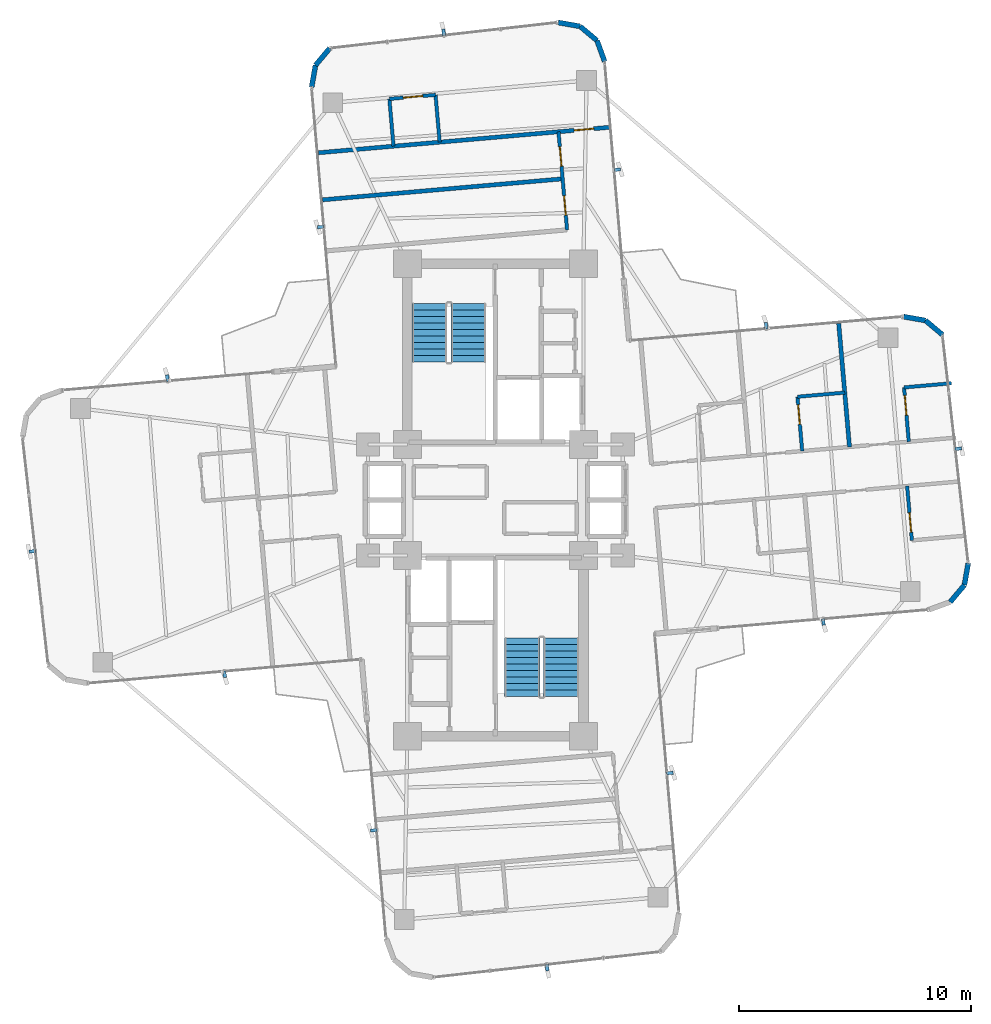
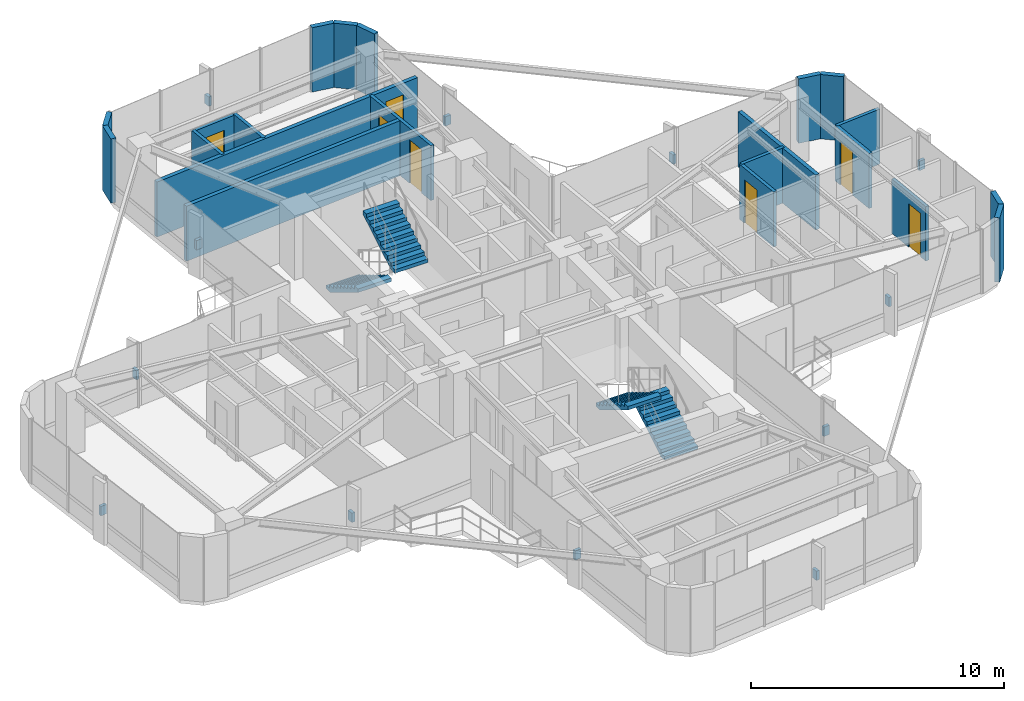
# One storey, part 23 of 24: 21 walls, 12 discrete accessories, 7 doors, 4 stair flights, 7 openings, 2 elements without a shape of their own.
"""IFC4 building model written with IfcOpenShell, lengths in metres."""

import ifcopenshell
import ifcopenshell.guid

model = None  # the IFC model being written
_history = None  # IfcOwnerHistory: only IFC2X3 demands one
_inside = {}  # id of a spatial element -> (the spatial element, [elements in it])
_under = {}  # id of a project, library or spatial element -> (it, [spatial elements below it])
_declared = {}  # id of a project -> (the project, [libraries it declares])
_typed = {}  # id of a type object -> (the type object, [elements of that type])
_made_of = {}  # id of a material, layer set ... -> (it, [elements and type objects made of it])


def new_model(schema):
    """Start an empty IFC model of exactly this schema.

    Asked for "IFC4X3", IfcOpenShell would pick the latest addendum, in which some entities
    have other attributes; the version numbers below select the first issue.
    IFC2X3 requires an IfcOwnerHistory on every rooted entity: one is made here for all.
    """
    global model, _history
    if schema == "IFC4X3":
        model = ifcopenshell.file(schema_version=(4, 3, 0, 0))
    else:
        model = ifcopenshell.file(schema=schema)
    _inside.clear()
    _under.clear()
    _declared.clear()
    _typed.clear()
    _made_of.clear()
    _history = None
    if model.schema == "IFC2X3":
        org = make("IfcOrganization", Name="unknown")
        user = make(
            "IfcPersonAndOrganization",
            ThePerson=make("IfcPerson", FamilyName="unknown"),
            TheOrganization=org,
        )
        app = make(
            "IfcApplication",
            ApplicationDeveloper=org,
            Version="unknown",
            ApplicationFullName="unknown",
            ApplicationIdentifier="unknown",
        )
        _history = make(
            "IfcOwnerHistory",
            OwningUser=user,
            OwningApplication=app,
            ChangeAction="ADDED",
            CreationDate=0,
        )
    return model


def make(cls, **values):
    """One entity of the class cls with the attributes given. An attribute that is None is left unset."""
    return model.create_entity(
        cls, **{name: value for name, value in values.items() if value is not None}
    )


def rooted(cls, **values):
    """An entity with a GlobalId (a new one), such as an element, a storey or a relation."""
    return make(cls, GlobalId=ifcopenshell.guid.new(), OwnerHistory=_history, **values)


def si_unit(unit_type, name, prefix=None):
    """IfcSIUnit, for example si_unit("LENGTHUNIT", "METRE", prefix="MILLI")."""
    return make("IfcSIUnit", UnitType=unit_type, Prefix=prefix, Name=name)


def assignment(units):
    """IfcUnitAssignment: the units of a project."""
    return None if units is None else make("IfcUnitAssignment", Units=units)


def point(xyz):
    """IfcCartesianPoint."""
    return None if xyz is None else make("IfcCartesianPoint", Coordinates=xyz)


def direction(xyz):
    """IfcDirection."""
    return None if xyz is None else make("IfcDirection", DirectionRatios=xyz)


def frame(location, z_axis=None, x_axis=None):
    """IfcAxis2Placement3D, a coordinate frame: its origin and axes. An axis left out is left unset."""
    return make(
        "IfcAxis2Placement3D",
        Location=point(location),
        Axis=direction(z_axis),
        RefDirection=direction(x_axis),
    )


def frame_2d(location, x_axis=None):
    """IfcAxis2Placement2D, a coordinate frame in the plane: its origin and x axis."""
    return make(
        "IfcAxis2Placement2D", Location=point(location), RefDirection=direction(x_axis)
    )


def origin():
    """The frame at (0, 0, 0) with its axes left unset."""
    return frame((0.0, 0.0, 0.0))


def origin_2d():
    """The frame at (0, 0) in the plane with its x axis left unset."""
    return frame_2d((0.0, 0.0))


def place(relative_to, where):
    """IfcLocalPlacement: puts the frame where relative to a parent placement (None: the world)."""
    return make(
        "IfcLocalPlacement", PlacementRelTo=relative_to, RelativePlacement=where
    )


def context(
    kind, dimensions, precision=None, world=None, true_north=None, identifier=None
):
    """IfcGeometricRepresentationContext, for example the 3D "Model" context."""
    return make(
        "IfcGeometricRepresentationContext",
        ContextIdentifier=identifier,
        ContextType=kind,
        CoordinateSpaceDimension=dimensions,
        Precision=precision,
        WorldCoordinateSystem=world,
        TrueNorth=true_north,
    )


def subcontext(parent, identifier, kind, view, scale=None):
    """IfcGeometricRepresentationSubContext, for example "Body" below "Model"."""
    return make(
        "IfcGeometricRepresentationSubContext",
        ContextIdentifier=identifier,
        ContextType=kind,
        ParentContext=parent,
        TargetScale=scale,
        TargetView=view,
    )


def project(units=None, contexts=None):
    """IfcProject with its units and contexts."""
    return rooted(
        "IfcProject",
        Name="project",
        RepresentationContexts=contexts,
        UnitsInContext=assignment(units),
    )


def spatial(cls, under=None, at=None, **own):
    """A site, building, storey or space (cls), placed at a placement, below another one or the project."""
    s = rooted(cls, ObjectPlacement=at, **own)
    if under is not None:
        _under.setdefault(under.id(), (under, []))[1].append(s)
    return s


def polyline(points):
    """IfcPolyline through the points."""
    return make("IfcPolyline", Points=[point(p) for p in points])


def profile(cls, at=None, kind="AREA", **sizes):
    """A parametric profile (cls). Its sizes go by their IFC names, for example OverallWidth=200.0."""
    return make(cls, ProfileType=kind, Position=at, **sizes)


def rectangle(**sizes):
    """IfcRectangleProfileDef."""
    return profile("IfcRectangleProfileDef", **sizes)


def outline(outer, holes=None, kind="AREA"):
    """IfcArbitraryClosedProfileDef: a profile drawn as a closed curve; with holes, ...WithVoids."""
    if holes is None:
        return make("IfcArbitraryClosedProfileDef", ProfileType=kind, OuterCurve=outer)
    return make(
        "IfcArbitraryProfileDefWithVoids",
        ProfileType=kind,
        OuterCurve=outer,
        InnerCurves=holes,
    )


def extrude(swept, where, along, depth):
    """IfcExtrudedAreaSolid: the profile swept, set in the frame where, extruded along a direction by depth."""
    return make(
        "IfcExtrudedAreaSolid",
        SweptArea=swept,
        Position=where,
        ExtrudedDirection=direction(along),
        Depth=depth,
    )


def shape(context_of_items, identifier, shape_type, items):
    """IfcShapeRepresentation: the items that make up one representation, for example the "Body"."""
    return make(
        "IfcShapeRepresentation",
        ContextOfItems=context_of_items,
        RepresentationIdentifier=identifier,
        RepresentationType=shape_type,
        Items=items,
    )


def source(mapping_origin, context_of_items, identifier, shape_type, items):
    """IfcRepresentationMap: a shape defined once, which mapped items show again and again."""
    return make(
        "IfcRepresentationMap",
        MappingOrigin=mapping_origin,
        MappedRepresentation=shape(context_of_items, identifier, shape_type, items),
    )


def transform(
    local_origin,
    x_axis=None,
    y_axis=None,
    z_axis=None,
    scale=None,
    scale2=None,
    scale3=None,
    uniform=True,
):
    """IfcCartesianTransformationOperator3D, or its non-uniform kind. x_axis, y_axis, z_axis: its Axis1, 2, 3."""
    if uniform:
        return make(
            "IfcCartesianTransformationOperator3D",
            Axis1=direction(x_axis),
            Axis2=direction(y_axis),
            LocalOrigin=point(local_origin),
            Scale=scale,
            Axis3=direction(z_axis),
        )
    return make(
        "IfcCartesianTransformationOperator3DnonUniform",
        Axis1=direction(x_axis),
        Axis2=direction(y_axis),
        LocalOrigin=point(local_origin),
        Scale=scale,
        Axis3=direction(z_axis),
        Scale2=scale2,
        Scale3=scale3,
    )


def mapped(mapping_source, mapping_target):
    """IfcMappedItem: shows the shape of a source again, moved by a transform."""
    return make(
        "IfcMappedItem", MappingSource=mapping_source, MappingTarget=mapping_target
    )


def material(Name=None, Category=None):
    """IfcMaterial."""
    return make("IfcMaterial", Name=Name, Category=Category)


def layer(
    of_material, thickness, ventilated=None, Name=None, Category=None, Priority=None
):
    """IfcMaterialLayer: one layer of a wall or slab, of a material (None: an air gap)."""
    return make(
        "IfcMaterialLayer",
        Material=of_material,
        LayerThickness=thickness,
        IsVentilated=ventilated,
        Name=Name,
        Category=Category,
        Priority=Priority,
    )


def layer_set(layers, Name=None):
    """IfcMaterialLayerSet."""
    return make("IfcMaterialLayerSet", MaterialLayers=layers, LayerSetName=Name)


def made_of(thing, what):
    """Note that an element or type object is made of a material, layer set ...; save() writes the relation."""
    if what is not None:
        _made_of.setdefault(what.id(), (what, []))[1].append(thing)
    return thing


def type_object(cls, material=None, **own):
    """A type object (cls), such as IfcWallType, which elements share."""
    return made_of(rooted(cls, **own), material)


def element(
    cls,
    number,
    at=None,
    inside=None,
    cuts=None,
    type_object=None,
    material=None,
    context=None,
    identifier="Body",
    shape_type=None,
    held_by="IfcProductDefinitionShape",
    body=None,
    shapes=None,
    **own,
):
    """One element of the class cls, such as IfcWall. Its Tag is "e" and its number.

    at: its placement. inside: the storey or other place that contains it. cuts: it is an
    opening in that element (IfcRelVoidsElement). A single representation is given by context,
    identifier, shape_type and body (its items); several are given by shapes. held_by: the class
    of the entity that holds the representations. save() writes the other relations.
    """
    e = rooted(cls, Tag="e%d" % number, ObjectPlacement=at, **own)
    if body is not None:
        shapes = [shape(context, identifier, shape_type, body)]
    if shapes is not None:
        e.Representation = make(held_by, Representations=shapes)
    if inside is not None:
        _inside.setdefault(inside.id(), (inside, []))[1].append(e)
    if cuts is not None:
        rooted(
            "IfcRelVoidsElement", RelatingBuildingElement=cuts, RelatedOpeningElement=e
        )
    if type_object is not None:
        _typed.setdefault(type_object.id(), (type_object, []))[1].append(e)
    return made_of(e, material)


def fill(opening, filler):
    """IfcRelFillsElement: the door or window that sits in an opening."""
    return rooted(
        "IfcRelFillsElement",
        RelatingOpeningElement=opening,
        RelatedBuildingElement=filler,
    )


def aggregate(whole, parts):
    """IfcRelAggregates: a whole, such as a stair, and the parts it consists of."""
    return rooted("IfcRelAggregates", RelatingObject=whole, RelatedObjects=parts)


def save(model, path):
    """Write the relations noted so far, then the file.

    IfcRelAggregates (storeys below a building ...), IfcRelContainedInSpatialStructure (elements
    in a storey), IfcRelDefinesByType, IfcRelAssociatesMaterial and IfcRelDeclares: one each for
    every whole, place, type object, material and project.
    """
    for whole, parts in _under.values():
        aggregate(whole, parts)
    for where, things in _inside.values():
        rooted(
            "IfcRelContainedInSpatialStructure",
            RelatedElements=things,
            RelatingStructure=where,
        )
    for kind, things in _typed.values():
        rooted("IfcRelDefinesByType", RelatedObjects=things, RelatingType=kind)
    for what, things in _made_of.values():
        rooted("IfcRelAssociatesMaterial", RelatedObjects=things, RelatingMaterial=what)
    for by, libraries in _declared.values():
        rooted("IfcRelDeclares", RelatingContext=by, RelatedDefinitions=libraries)
    model.write(path)


model = new_model("IFC4")

# Units and contexts
model_context = context("Model", 3, precision=1e-05, world=origin(), true_north=direction((0.0, 1.0)))
body_context = subcontext(model_context, "Body", "Model", "MODEL_VIEW")
ifc_project = project(units=[si_unit("LENGTHUNIT", "METRE"), si_unit("AREAUNIT", "SQUARE_METRE"), si_unit("VOLUMEUNIT", "CUBIC_METRE"), si_unit("PLANEANGLEUNIT", "RADIAN"), si_unit("MASSUNIT", "GRAM", prefix="KILO")], contexts=[model_context])

# Site, building, storey
site_placement = place(None, origin())
site = spatial("IfcSite", under=ifc_project, at=site_placement, CompositionType="ELEMENT")
building_placement = place(site_placement, origin())
building = spatial("IfcBuilding", under=site, at=building_placement, Name="Sahyath Konkavel Grand Hotel", CompositionType="ELEMENT")
storey_placement = place(building_placement, frame((0.0, 0.0, 191.949951171875)))
storey = spatial("IfcBuildingStorey", under=building, at=storey_placement, Name="L53", CompositionType="ELEMENT", Elevation=191.949951171875)

# Walls
ifc_material_1 = material(Name="Warm Buff Sandstone Insulated Concrete C40/50", Category="masonry")
ifc_layer_1 = layer(ifc_material_1, 0.219970703125)
ifc_layer_set_1 = layer_set([ifc_layer_1], Name="Warm Buff Sandstone Insulated Concrete C40/50")
wall_type_1 = type_object("IfcWallType", Name="WLL-BALC-THRESH", PredefinedType="STANDARD", material=ifc_layer_set_1)
for number, where, z_axis, x_axis, name in (
    (1, (19.6337890625, -4.40771484375, 0.0), (0.0, 0.0, 1.0), (0.642863236823, 0.765980978054, 0.0), "L53 Rounded Corner Sandstone Pier 2"),
    (2, (20.24951171875, -3.674072265625, 0.0), (0.0, 0.0, 1.0), (0.173610811841, 0.984814340885, 0.0), "L53 Rounded Corner Sandstone Pier 3"),
):
    element("IfcWall", number, at=place(storey_placement, frame(where, z_axis=z_axis, x_axis=x_axis)), inside=storey, type_object=wall_type_1, Name=name, PredefinedType="STANDARD", context=body_context, shape_type="SweptSolid", body=[
        extrude(rectangle(XDim=0.957763671875, YDim=0.219970703125, at=frame_2d((0.47900390625, 0.0))), origin(), (0.0, 0.0, 1.0), 3.110107421875),
    ])
wall_1_placement = place(storey_placement, frame((19.3037109375, 7.134521484375, 0.0), z_axis=(0.0, 0.0, 1.0), x_axis=(-0.766001159887, 0.642839189107, 0.0)))
element("IfcWall", 3, at=wall_1_placement, inside=storey, type_object=wall_type_1, Name="L53 Rounded Corner Sandstone Pier 5", PredefinedType="STANDARD", context=body_context, shape_type="SweptSolid", body=[
    extrude(rectangle(XDim=0.95751953125, YDim=0.219970703125, at=frame_2d((0.478759765625, 0.0))), origin(), (0.0, 0.0, 1.0), 3.110107421875),
])
wall_2_placement = place(storey_placement, frame((18.5703125, 7.75, 0.0), z_axis=(0.0, 0.0, 1.0), x_axis=(-0.984770724397, 0.173858046606, 0.0)))
element("IfcWall", 4, at=wall_2_placement, inside=storey, type_object=wall_type_1, Name="L53 Rounded Corner Sandstone Pier 6", PredefinedType="STANDARD", context=body_context, shape_type="SweptSolid", body=[
    extrude(rectangle(XDim=0.957763671875, YDim=0.219970703125, at=frame_2d((0.47900390625, 0.0))), origin(), (0.0, 0.0, 1.0), 3.110107421875),
])
wall_3_placement = place(storey_placement, frame((4.7177734375, 18.93310546875, 0.0), z_axis=(0.0, 0.0, 1.0), x_axis=(-0.34188635151, 0.939741306239, 0.0)))
element("IfcWall", 5, at=wall_3_placement, inside=storey, type_object=wall_type_1, Name="L53 Rounded Corner Sandstone Pier 9", PredefinedType="STANDARD", context=body_context, shape_type="SweptSolid", body=[
    extrude(rectangle(XDim=0.95751953125, YDim=0.219970703125, at=frame_2d((0.478759765625, 0.0))), origin(), (0.0, 0.0, 1.0), 3.110107421875),
])
for number, where, z_axis, x_axis, name in (
    (6, (4.390380859375, 19.8330078125, 0.0), (0.0, 0.0, 1.0), (-0.765980978054, 0.642863236823, 0.0), "L53 Rounded Corner Sandstone Pier 10"),
    (7, (3.65673828125, 20.44873046875, 0.0), (0.0, 0.0, 1.0), (-0.984814340885, 0.173610811841, 0.0), "L53 Rounded Corner Sandstone Pier 11"),
):
    element("IfcWall", number, at=place(storey_placement, frame(where, z_axis=z_axis, x_axis=x_axis)), inside=storey, type_object=wall_type_1, Name=name, PredefinedType="STANDARD", context=body_context, shape_type="SweptSolid", body=[
        extrude(rectangle(XDim=0.957763671875, YDim=0.219970703125, at=frame_2d((0.47900390625, 0.0))), origin(), (0.0, 0.0, 1.0), 3.110107421875),
    ])
for number, where, z_axis, x_axis, name in (
    (8, (-7.152099609375, 19.5029296875, 0.0), (0.0, 0.0, 1.0), (-0.642713642115, -0.766106503196, 0.0), "L53 Rounded Corner Sandstone Pier 13"),
    (9, (-7.767578125, 18.769287109375, 0.0), (0.0, 0.0, 1.0), (-0.173654409999, -0.984806654064, 0.0), "L53 Rounded Corner Sandstone Pier 14"),
):
    element("IfcWall", number, at=place(storey_placement, frame(where, z_axis=z_axis, x_axis=x_axis)), inside=storey, type_object=wall_type_1, Name=name, PredefinedType="STANDARD", context=body_context, shape_type="SweptSolid", body=[
        extrude(rectangle(XDim=0.95751953125, YDim=0.219970703125, at=frame_2d((0.478759765625, 0.0))), origin(), (0.0, 0.0, 1.0), 3.110107421875),
    ])
ifc_material_2 = material(Name="Twin-Stud Acoustic Gypsum Plasterboard Partition")
ifc_layer_2 = layer(ifc_material_2, 0.179931640625)
ifc_layer_set_2 = layer_set([ifc_layer_2], Name="Twin-Stud Acoustic Gypsum Plasterboard Partition")
wall_type_2 = type_object("IfcWallType", Name="WLL-DEMISE-180", PredefinedType="PARTITIONING", material=ifc_layer_set_2)
wall_4_placement = place(storey_placement, frame((15.28857421875, 2.291259765625, 0.0), z_axis=(0.0, 0.0, 1.0), x_axis=(-0.087161289348, 0.996194212812, 0.0)))
element("IfcWall", 10, at=wall_4_placement, inside=storey, type_object=wall_type_2, Name="L53 Partition E-E2L-DEM", PredefinedType="PARTITIONING", context=body_context, shape_type="SweptSolid", body=[
    extrude(rectangle(XDim=5.349853515625, YDim=0.179931640625, at=frame_2d((2.6748046875, 0.0))), origin(), (0.0, 0.0, 1.0), 2.66015625),
])
wall_5_placement = place(storey_placement, frame((2.902587890625, 13.86572265625, 0.0), z_axis=(0.0, 0.0, 1.0), x_axis=(-0.996194201607, -0.087161417409, 0.0)))
element("IfcWall", 11, at=wall_5_placement, inside=storey, type_object=wall_type_2, Name="L53 Partition N-NSL6-DEM", PredefinedType="PARTITIONING", context=body_context, shape_type="SweptSolid", body=[
    extrude(rectangle(XDim=10.400146484375, YDim=0.179931640625, at=frame_2d((5.2001953125, 0.0))), origin(), (0.0, 0.0, 1.0), 2.66015625),
])

# Wall, opening, door
wall_6_placement = place(storey_placement, frame((4.91650390625, 16.089599609375, 0.0), z_axis=(0.0, 0.0, 1.0), x_axis=(-0.996196619285, -0.087133780622, 0.0)))
wall_6 = element("IfcWall", 12, at=wall_6_placement, inside=storey, type_object=wall_type_2, Name="L53 Partition N-NTIP-END", PredefinedType="PARTITIONING", context=body_context, shape_type="SweptSolid", body=[
    extrude(rectangle(XDim=12.60009765625, YDim=0.179931640625, at=frame_2d((6.300048828125, 0.0))), origin(), (0.0, 0.0, 1.0), 2.66015625),
])
opening_1_placement = place(wall_6_placement, frame((0.675048828125, 0.0, 0.0)))
opening_1 = element("IfcOpeningElement", 13, at=opening_1_placement, cuts=wall_6, Name="Opening D-F06D", PredefinedType="OPENING", context=body_context, shape_type="SweptSolid", body=[
    extrude(rectangle(XDim=0.85009765625, YDim=2.10009765625, at=frame_2d((0.425048828125, 1.050048828125))), frame((0.0, 0.10009765625, 0.0), z_axis=(0.0, -1.0, 0.0), x_axis=(1.0, 0.0, 0.0)), (0.0, 0.0, 1.0), 0.199951171875),
])
ifc_material_3 = material(Name="Fire-Rated Shaft Access Door")
door_type_1 = type_object("IfcDoorType", Name="DR-FD60-850", OperationType="NOTDEFINED", PredefinedType="DOOR", material=ifc_material_3)
shared_shape_1 = source(origin(), body_context, "Body", "SweptSolid", [
    extrude(rectangle(XDim=0.85009765625, YDim=0.050048828125, at=origin_2d()), origin(), (0.0, 0.0, 1.0), 2.10009765625),
])
door_1_placement = place(opening_1_placement, frame((0.425048828125, 0.0, 0.0)))
door_1 = element("IfcDoor", 14, at=door_1_placement, inside=storey, type_object=door_type_1, Name="L53 Door N-NTIP-ED", OperationType="SINGLE_SWING_RIGHT", OverallHeight=2.10009765625, OverallWidth=0.85009765625, PredefinedType="DOOR", context=body_context, shape_type="MappedRepresentation", body=[
    mapped(shared_shape_1, transform((0.0, 0.0, 0.0), scale=1.0)),
])
fill(opening_1, door_1)

ifc_material_4 = material(Name="Fire-Rated Gypsum Plasterboard Partition")
ifc_layer_3 = layer(ifc_material_4, 0.14990234375)
ifc_layer_set_3 = layer_set([ifc_layer_3], Name="Fire-Rated Gypsum Plasterboard Partition")
wall_type_3 = type_object("IfcWallType", Name="WLL-PART-150", PredefinedType="PARTITIONING", material=ifc_layer_set_3)
wall_7_placement = place(storey_placement, frame((13.246337890625, 2.112548828125, 0.0), z_axis=(0.0, 0.0, 1.0), x_axis=(-0.087224846905, 0.996188649846, 0.0)))
wall_7 = element("IfcWall", 15, at=wall_7_placement, inside=storey, type_object=wall_type_3, Name="L53 Partition E-E2L-BS", PredefinedType="PARTITIONING", context=body_context, shape_type="SweptSolid", body=[
    extrude(rectangle(XDim=2.35400390625, YDim=0.14990234375, at=frame_2d((1.177001953125, 0.0))), origin(), (0.0, 0.0, 1.0), 2.66015625),
])
opening_2_placement = place(wall_7_placement, frame((1.154052734375, 0.0, 0.0)))
opening_2 = element("IfcOpeningElement", 16, at=opening_2_placement, cuts=wall_7, Name="Opening D-BT85", PredefinedType="OPENING", context=body_context, shape_type="SweptSolid", body=[
    extrude(rectangle(XDim=0.85009765625, YDim=2.10009765625, at=frame_2d((0.425048828125, 1.050048828125))), frame((0.0, 0.0849609375, 0.0), z_axis=(0.0, -1.0, 0.0), x_axis=(1.0, 0.0, 0.0)), (0.0, 0.0, 1.0), 0.169921875),
])
ifc_material_5 = material(Name="Moisture-Resistant Teak Bathroom Door")
door_type_2 = type_object("IfcDoorType", Name="DR-BATH-850", OperationType="NOTDEFINED", PredefinedType="DOOR", material=ifc_material_5)
door_2_placement = place(opening_2_placement, frame((0.425048828125, 0.0, 0.0)))
door_2 = element("IfcDoor", 17, at=door_2_placement, inside=storey, type_object=door_type_2, Name="L53 Door E-E2L-BD", OperationType="SINGLE_SWING_LEFT", OverallHeight=2.10009765625, OverallWidth=0.85009765625, PredefinedType="DOOR", context=body_context, shape_type="MappedRepresentation", body=[
    mapped(shared_shape_1, transform((0.0, 0.0, 0.0), scale=1.0)),
])
fill(opening_2, door_2)

# Wall
wall_8_placement = place(storey_placement, frame((13.041015625, 4.45751953125, 0.0), z_axis=(0.0, 0.0, 1.0), x_axis=(0.99619307114, 0.087174336889, 0.0)))
element("IfcWall", 18, at=wall_8_placement, inside=storey, type_object=wall_type_3, Name="L53 Partition E-E2L-BF", PredefinedType="PARTITIONING", context=body_context, shape_type="SweptSolid", body=[
    extrude(rectangle(XDim=2.050048828125, YDim=0.14990234375, at=frame_2d((1.02490234375, 0.0))), origin(), (0.0, 0.0, 1.0), 2.66015625),
])

# Wall, opening, door
wall_9_placement = place(storey_placement, frame((17.8486328125, 2.51513671875, 0.0), z_axis=(0.0, 0.0, 1.0), x_axis=(-0.087121918963, 0.996197656711, 0.0)))
wall_9 = element("IfcWall", 19, at=wall_9_placement, inside=storey, type_object=wall_type_3, Name="L53 Partition E-E3L-BS", PredefinedType="PARTITIONING", context=body_context, shape_type="SweptSolid", body=[
    extrude(rectangle(XDim=2.35400390625, YDim=0.14990234375, at=frame_2d((1.177001953125, 0.0))), origin(), (0.0, 0.0, 1.0), 2.66015625),
])
opening_3_placement = place(wall_9_placement, frame((1.154052734375, 0.0, 0.0)))
opening_3 = element("IfcOpeningElement", 20, at=opening_3_placement, cuts=wall_9, Name="Opening D-BT85", PredefinedType="OPENING", context=body_context, shape_type="SweptSolid", body=[
    extrude(rectangle(XDim=0.85009765625, YDim=2.10009765625, at=frame_2d((0.425048828125, 1.050048828125))), frame((0.0, 0.0849609375, 0.0), z_axis=(0.0, -1.0, 0.0), x_axis=(1.0, 0.0, 0.0)), (0.0, 0.0, 1.0), 0.169921875),
])
door_3_placement = place(opening_3_placement, frame((0.425048828125, 0.0, 0.0)))
door_3 = element("IfcDoor", 21, at=door_3_placement, inside=storey, type_object=door_type_2, Name="L53 Door E-E3L-BD", OperationType="SINGLE_SWING_LEFT", OverallHeight=2.10009765625, OverallWidth=0.85009765625, PredefinedType="DOOR", context=body_context, shape_type="MappedRepresentation", body=[
    mapped(shared_shape_1, transform((0.0, 0.0, 0.0), scale=1.0)),
])
fill(opening_3, door_3)

# Wall
wall_10_placement = place(storey_placement, frame((17.6435546875, 4.860107421875, 0.0), z_axis=(0.0, 0.0, 1.0), x_axis=(0.99619307114, 0.087174336889, 0.0)))
element("IfcWall", 22, at=wall_10_placement, inside=storey, type_object=wall_type_3, Name="L53 Partition E-E3L-BF", PredefinedType="PARTITIONING", context=body_context, shape_type="SweptSolid", body=[
    extrude(rectangle(XDim=2.050048828125, YDim=0.14990234375, at=frame_2d((1.02490234375, 0.0))), origin(), (0.0, 0.0, 1.0), 2.66015625),
])

# Wall, opening, door
wall_11_placement = place(storey_placement, frame((17.776123046875, 0.6015625, 0.0), z_axis=(0.0, 0.0, 1.0), x_axis=(0.087224846905, -0.996188649846, 0.0)))
wall_11 = element("IfcWall", 23, at=wall_11_placement, inside=storey, type_object=wall_type_3, Name="L53 Partition E-E2R-BS", PredefinedType="PARTITIONING", context=body_context, shape_type="SweptSolid", body=[
    extrude(rectangle(XDim=2.35400390625, YDim=0.14990234375, at=frame_2d((1.177001953125, 0.0))), origin(), (0.0, 0.0, 1.0), 2.630126953125),
])
opening_4_placement = place(wall_11_placement, frame((1.154052734375, 0.0, 0.0)))
opening_4 = element("IfcOpeningElement", 24, at=opening_4_placement, cuts=wall_11, Name="Opening D-BT85", PredefinedType="OPENING", context=body_context, shape_type="SweptSolid", body=[
    extrude(rectangle(XDim=0.85009765625, YDim=2.10009765625, at=frame_2d((0.425048828125, 1.050048828125))), frame((0.0, 0.0849609375, 0.0), z_axis=(0.0, -1.0, 0.0), x_axis=(1.0, 0.0, 0.0)), (0.0, 0.0, 1.0), 0.169921875),
])
door_4_placement = place(opening_4_placement, frame((0.425048828125, 0.0, 0.0)))
door_4 = element("IfcDoor", 25, at=door_4_placement, inside=storey, type_object=door_type_2, Name="L53 Door E-E2R-BD", OperationType="SINGLE_SWING_LEFT", OverallHeight=2.10009765625, OverallWidth=0.85009765625, PredefinedType="DOOR", context=body_context, shape_type="MappedRepresentation", body=[
    mapped(shared_shape_1, transform((0.0, 0.0, 0.0), scale=1.0)),
])
fill(opening_4, door_4)

# Wall, openings, doors
wall_12_placement = place(storey_placement, frame((3.09521484375, 11.6640625, 0.0), z_axis=(0.0, 0.0, 1.0), x_axis=(-0.087142722004, 0.996195837173, 0.0)))
wall_12 = element("IfcWall", 26, at=wall_12_placement, inside=storey, type_object=wall_type_3, Name="L53 Partition N-G6W", PredefinedType="PARTITIONING", context=body_context, shape_type="SweptSolid", body=[
    extrude(rectangle(XDim=4.25, YDim=0.14990234375, at=frame_2d((2.125, 0.0))), origin(), (0.0, 0.0, 1.0), 2.66015625),
])
opening_5_placement = place(wall_12_placement, frame((0.6298828125, 0.0, 0.0)))
opening_5 = element("IfcOpeningElement", 27, at=opening_5_placement, cuts=wall_12, Name="Opening D-F06D", PredefinedType="OPENING", context=body_context, shape_type="SweptSolid", body=[
    extrude(rectangle(XDim=0.85009765625, YDim=2.10009765625, at=frame_2d((0.425048828125, 1.050048828125))), frame((0.0, 0.0849609375, 0.0), z_axis=(0.0, -1.0, 0.0), x_axis=(1.0, 0.0, 0.0)), (0.0, 0.0, 1.0), 0.169921875),
])
opening_6_placement = place(wall_12_placement, frame((2.7548828125, 0.0, 0.0)))
opening_6 = element("IfcOpeningElement", 28, at=opening_6_placement, cuts=wall_12, Name="Opening D-F06D", PredefinedType="OPENING", context=body_context, shape_type="SweptSolid", body=[
    extrude(rectangle(XDim=0.85009765625, YDim=2.10009765625, at=frame_2d((0.425048828125, 1.050048828125))), frame((0.0, 0.0849609375, 0.0), z_axis=(0.0, -1.0, 0.0), x_axis=(1.0, 0.0, 0.0)), (0.0, 0.0, 1.0), 0.169921875),
])
door_5_placement = place(opening_5_placement, frame((0.425048828125, 0.0, 0.0)))
door_5 = element("IfcDoor", 29, at=door_5_placement, inside=storey, type_object=door_type_1, Name="L53 Door N-NSL6-D", OperationType="SINGLE_SWING_LEFT", OverallHeight=2.10009765625, OverallWidth=0.85009765625, PredefinedType="DOOR", context=body_context, shape_type="MappedRepresentation", body=[
    mapped(shared_shape_1, transform((0.0, 0.0, 0.0), scale=1.0)),
])
fill(opening_5, door_5)
door_6_placement = place(opening_6_placement, frame((0.425048828125, 0.0, 0.0)))
door_6 = element("IfcDoor", 30, at=door_6_placement, inside=storey, type_object=door_type_1, Name="L53 Door N-ND6-D", OperationType="SINGLE_SWING_RIGHT", OverallHeight=2.10009765625, OverallWidth=0.85009765625, PredefinedType="DOOR", context=body_context, shape_type="MappedRepresentation", body=[
    mapped(shared_shape_1, transform((0.0, 0.0, 0.0), scale=1.0)),
])
fill(opening_6, door_6)

# Walls
for number, where, z_axis, x_axis, name in (
    (31, (-4.39794921875, 15.27490234375, 0.0), (0.0, 0.0, 1.0), (-0.087184680235, 0.996192165966, 0.0), "L53 Partition N-NTIP-BN"),
    (32, (-2.405517578125, 15.44921875, 0.0), (0.0, 0.0, 1.0), (-0.087184680235, 0.996192165966, 0.0), "L53 Partition N-NTIP-BS"),
):
    element("IfcWall", number, at=place(storey_placement, frame(where, z_axis=z_axis, x_axis=x_axis)), inside=storey, type_object=wall_type_3, Name=name, PredefinedType="PARTITIONING", context=body_context, shape_type="SweptSolid", body=[
        extrude(rectangle(XDim=2.0498046875, YDim=0.14990234375, at=frame_2d((1.02490234375, 0.0))), origin(), (0.0, 0.0, 1.0), 2.66015625),
    ])

# Wall, opening, door
wall_13_placement = place(storey_placement, frame((-2.584228515625, 17.4912109375, 0.0), z_axis=(0.0, 0.0, 1.0), x_axis=(-0.99619464492, -0.087156350505, 0.0)))
wall_13 = element("IfcWall", 33, at=wall_13_placement, inside=storey, type_object=wall_type_3, Name="L53 Partition N-NTIP-BE", PredefinedType="PARTITIONING", context=body_context, shape_type="SweptSolid", body=[
    extrude(rectangle(XDim=2.0, YDim=0.14990234375, at=frame_2d((1.0, 0.0))), origin(), (0.0, 0.0, 1.0), 2.630126953125),
])
opening_7_placement = place(wall_13_placement, frame((0.550048828125, 0.0, 0.0)))
opening_7 = element("IfcOpeningElement", 34, at=opening_7_placement, cuts=wall_13, Name="Opening D-BT85", PredefinedType="OPENING", context=body_context, shape_type="SweptSolid", body=[
    extrude(rectangle(XDim=0.85009765625, YDim=2.10009765625, at=frame_2d((0.425048828125, 1.050048828125))), frame((0.0, 0.0849609375, 0.0), z_axis=(0.0, -1.0, 0.0), x_axis=(1.0, 0.0, 0.0)), (0.0, 0.0, 1.0), 0.169921875),
])
door_7_placement = place(opening_7_placement, frame((0.425048828125, 0.0, 0.0)))
door_7 = element("IfcDoor", 35, at=door_7_placement, inside=storey, type_object=door_type_2, Name="L53 Door N-NTIP-BD", OperationType="SINGLE_SWING_LEFT", OverallHeight=2.10009765625, OverallWidth=0.85009765625, PredefinedType="DOOR", context=body_context, shape_type="MappedRepresentation", body=[
    mapped(shared_shape_1, transform((0.0, 0.0, 0.0), scale=1.0)),
])
fill(opening_7, door_7)

# Stair, stair flights
ifc_material_6 = material(Name="Concrete C40/50", Category="concrete")
stair_type = type_object("IfcStairType", Name="STR-ST16-335", PredefinedType="HALF_TURN_STAIR", material=ifc_material_6)
stair_1_placement = place(storey_placement, origin())
stair_1 = element("IfcStair", 36, at=stair_1_placement, inside=storey, type_object=stair_type, Name="L53 North Core Smokeproof Exit Stair ST-1", PredefinedType="HALF_TURN_STAIR")
stair_flight_type = type_object("IfcStairFlightType", Name="STF-ST16-335", PredefinedType="STRAIGHT", material=ifc_material_6)
stair_flight_1_placement = place(storey_placement, frame((-2.840087890625, 8.47998046875, 0.0), z_axis=(0.0, 0.0, 1.0), x_axis=(0.0, -1.0, 0.0)))
stair_flight_1 = element("IfcStairFlight", 37, at=stair_flight_1_placement, type_object=stair_flight_type, Name="ST-1 flight 1", NumberOfRisers=10, NumberOfTreads=9, PredefinedType="STRAIGHT", RiserHeight=0.1675, TreadLength=0.28, context=body_context, shape_type="SweptSolid", body=[
    extrude(outline(polyline([(0.0, 0.0), (0.0, 0.16748046875), (0.280029296875, 0.16748046875), (0.280029296875, 0.3349609375), (0.56005859375, 0.3349609375), (0.56005859375, 0.50244140625), (0.840087890625, 0.50244140625), (0.840087890625, 0.669921875), (1.1201171875, 0.669921875), (1.1201171875, 0.83740234375), (1.39990234375, 0.83740234375), (1.39990234375, 1.0048828125), (1.679931640625, 1.0048828125), (1.679931640625, 1.172607421875), (1.9599609375, 1.172607421875), (1.9599609375, 1.340087890625), (2.239990234375, 1.340087890625), (2.239990234375, 1.507568359375), (2.52001953125, 1.507568359375), (2.52001953125, 1.675048828125), (2.52001953125, 1.332763671875), (0.2919921875, 0.0), (0.0, 0.0)])), frame((0.0, 0.760009765625, 0.0), z_axis=(0.0, -1.0, 0.0), x_axis=(1.0, 0.0, 0.0)), (0.0, 0.0, 1.0), 1.52001953125),
])
stair_flight_2_placement = place(storey_placement, frame((-1.159912109375, 5.9599609375, 1.675048828125), z_axis=(0.0, 0.0, 1.0), x_axis=(0.0, 1.0, 0.0)))
stair_flight_2 = element("IfcStairFlight", 38, at=stair_flight_2_placement, type_object=stair_flight_type, Name="ST-1 flight 2", NumberOfRisers=10, NumberOfTreads=9, PredefinedType="STRAIGHT", RiserHeight=0.1675, TreadLength=0.28, context=body_context, shape_type="SweptSolid", body=[
    extrude(outline(polyline([(0.0, 0.0), (0.0, 0.16748046875), (0.280029296875, 0.16748046875), (0.280029296875, 0.3349609375), (0.56005859375, 0.3349609375), (0.56005859375, 0.50244140625), (0.840087890625, 0.50244140625), (0.840087890625, 0.669921875), (1.1201171875, 0.669921875), (1.1201171875, 0.83740234375), (1.39990234375, 0.83740234375), (1.39990234375, 1.0048828125), (1.679931640625, 1.0048828125), (1.679931640625, 1.172607421875), (1.9599609375, 1.172607421875), (1.9599609375, 1.340087890625), (2.239990234375, 1.340087890625), (2.239990234375, 1.507568359375), (2.52001953125, 1.507568359375), (2.52001953125, 1.675048828125), (2.52001953125, 1.332763671875), (0.2919921875, 0.0), (0.0, 0.0)])), frame((0.0, 0.760009765625, 0.0), z_axis=(0.0, -1.0, 0.0), x_axis=(1.0, 0.0, 0.0)), (0.0, 0.0, 1.0), 1.52001953125),
])
aggregate(stair_1, [stair_flight_1, stair_flight_2])

stair_2_placement = place(storey_placement, origin())
stair_2 = element("IfcStair", 39, at=stair_2_placement, inside=storey, type_object=stair_type, Name="L53 South Core Smokeproof Exit Stair ST-2", PredefinedType="HALF_TURN_STAIR")
stair_flight_3_placement = place(storey_placement, frame((2.840087890625, -8.47998046875, 0.0), z_axis=(0.0, 0.0, 1.0), x_axis=(0.0, 1.0, 0.0)))
stair_flight_3 = element("IfcStairFlight", 40, at=stair_flight_3_placement, type_object=stair_flight_type, Name="ST-2 flight 1", NumberOfRisers=10, NumberOfTreads=9, PredefinedType="STRAIGHT", RiserHeight=0.1675, TreadLength=0.28, context=body_context, shape_type="SweptSolid", body=[
    extrude(outline(polyline([(0.0, 0.0), (0.0, 0.16748046875), (0.280029296875, 0.16748046875), (0.280029296875, 0.3349609375), (0.56005859375, 0.3349609375), (0.56005859375, 0.50244140625), (0.840087890625, 0.50244140625), (0.840087890625, 0.669921875), (1.1201171875, 0.669921875), (1.1201171875, 0.83740234375), (1.39990234375, 0.83740234375), (1.39990234375, 1.0048828125), (1.679931640625, 1.0048828125), (1.679931640625, 1.172607421875), (1.9599609375, 1.172607421875), (1.9599609375, 1.340087890625), (2.239990234375, 1.340087890625), (2.239990234375, 1.507568359375), (2.52001953125, 1.507568359375), (2.52001953125, 1.675048828125), (2.52001953125, 1.332763671875), (0.2919921875, 0.0), (0.0, 0.0)])), frame((0.0, 0.760009765625, 0.0), z_axis=(0.0, -1.0, 0.0), x_axis=(1.0, 0.0, 0.0)), (0.0, 0.0, 1.0), 1.52001953125),
])
stair_flight_4_placement = place(storey_placement, frame((1.159912109375, -5.9599609375, 1.675048828125), z_axis=(0.0, 0.0, 1.0), x_axis=(0.0, -1.0, 0.0)))
stair_flight_4 = element("IfcStairFlight", 41, at=stair_flight_4_placement, type_object=stair_flight_type, Name="ST-2 flight 2", NumberOfRisers=10, NumberOfTreads=9, PredefinedType="STRAIGHT", RiserHeight=0.1675, TreadLength=0.28, context=body_context, shape_type="SweptSolid", body=[
    extrude(outline(polyline([(0.0, 0.0), (0.0, 0.16748046875), (0.280029296875, 0.16748046875), (0.280029296875, 0.3349609375), (0.56005859375, 0.3349609375), (0.56005859375, 0.50244140625), (0.840087890625, 0.50244140625), (0.840087890625, 0.669921875), (1.1201171875, 0.669921875), (1.1201171875, 0.83740234375), (1.39990234375, 0.83740234375), (1.39990234375, 1.0048828125), (1.679931640625, 1.0048828125), (1.679931640625, 1.172607421875), (1.9599609375, 1.172607421875), (1.9599609375, 1.340087890625), (2.239990234375, 1.340087890625), (2.239990234375, 1.507568359375), (2.52001953125, 1.507568359375), (2.52001953125, 1.675048828125), (2.52001953125, 1.332763671875), (0.2919921875, 0.0), (0.0, 0.0)])), frame((0.0, 0.760009765625, 0.0), z_axis=(0.0, -1.0, 0.0), x_axis=(1.0, 0.0, 0.0)), (0.0, 0.0, 1.0), 1.52001953125),
])
aggregate(stair_2, [stair_flight_3, stair_flight_4])

# Discrete accessories
ifc_material_7 = material(Name="Steel E350", Category="steel")
discrete_accessory_type = type_object("IfcDiscreteAccessoryType", Name="ACC-FIN-BRACKET", PredefinedType="BRACKET", material=ifc_material_7)
shared_shape_2 = source(origin(), body_context, "Body", "SweptSolid", [
    extrude(rectangle(XDim=0.280029296875, YDim=0.139892578125, at=origin_2d()), origin(), (0.0, 0.0, 1.0), 0.449951171875),
])
for number, where, z_axis, x_axis, name in (
    (42, (14.162841796875, -5.265625, 1.330078125), (0.0, 0.0, 1.0), (0.087155742748, -0.996194698092, 0.0), "L53 Fin Support Bracket F0-1"),
    (43, (19.989013671875, 2.21630859375, 1.330078125), (0.0, 0.0, 1.0), (0.993709417943, 0.111989252568, 0.0), "L53 Fin Support Bracket F4-2"),
    (44, (11.6884765625, 7.52734375, 1.330078125), (0.0, 0.0, 1.0), (-0.087155742748, 0.996194698092, 0.0), "L53 Fin Support Bracket F7-1"),
    (45, (5.2568359375, 14.262451171875, 1.330078125), (0.0, 0.0, 1.0), (0.996194698092, 0.087155742748, 0.0), "L53 Fin Support Bracket F8-1"),
    (46, (-2.23388671875, 20.188232421875, 1.330078125), (0.0, 0.0, 1.0), (-0.112006596052, 0.993707463211, 0.0), "L53 Fin Support Bracket F12-2"),
    (47, (-7.5361328125, 11.7880859375, 1.330078125), (0.0, 0.0, 1.0), (-0.996194698092, -0.087155742748, 0.0), "L53 Fin Support Bracket F15-1"),
    (48, (-14.162841796875, 5.265625, 1.330078125), (0.0, 0.0, 1.0), (-0.087155742748, 0.996194698092, 0.0), "L53 Fin Support Bracket F16-1"),
    (49, (-19.989013671875, -2.21630859375, 1.330078125), (0.0, 0.0, 1.0), (-0.993709417943, -0.111989252568, 0.0), "L53 Fin Support Bracket F20-2"),
    (50, (-11.6884765625, -7.52734375, 1.330078125), (0.0, 0.0, 1.0), (0.087155742748, -0.996194698092, 0.0), "L53 Fin Support Bracket F23-1"),
    (51, (-5.2568359375, -14.262451171875, 1.330078125), (0.0, 0.0, 1.0), (-0.996194698092, -0.087155742748, 0.0), "L53 Fin Support Bracket F24-1"),
    (52, (2.23388671875, -20.188232421875, 1.330078125), (0.0, 0.0, 1.0), (0.112006596052, -0.993707463211, 0.0), "L53 Fin Support Bracket F28-2"),
    (53, (7.5361328125, -11.7880859375, 1.330078125), (0.0, 0.0, 1.0), (0.996194698092, 0.087155742748, 0.0), "L53 Fin Support Bracket F31-1"),
):
    element("IfcDiscreteAccessory", number, at=place(storey_placement, frame(where, z_axis=z_axis, x_axis=x_axis)), inside=storey, type_object=discrete_accessory_type, Name=name, PredefinedType="BRACKET", context=body_context, shape_type="MappedRepresentation", body=[
        mapped(shared_shape_2, transform((0.0, 0.0, 0.0), scale=1.0)),
    ])

save(model, "model.ifc")
